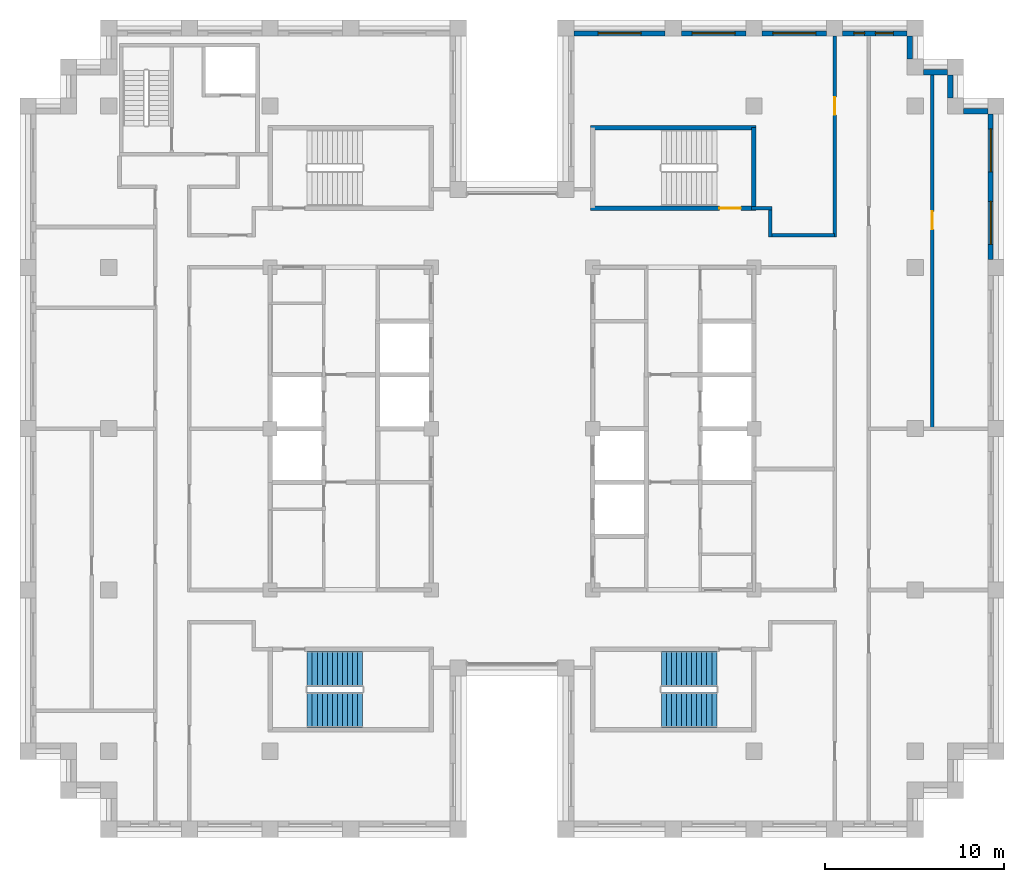
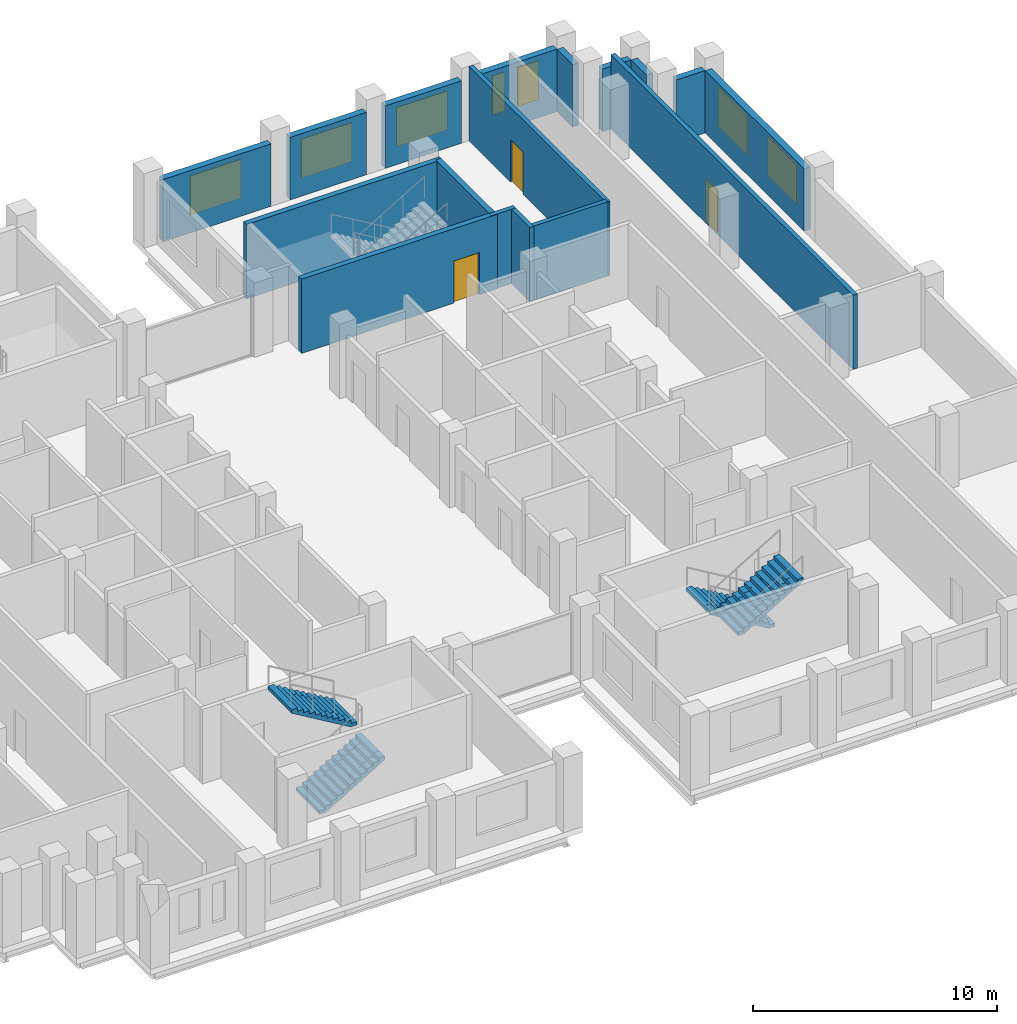
# One storey, part 11 of 13: 17 walls, 7 windows, 4 stair flights, 3 doors, 10 openings, 2 elements without a shape of their own.
"""IFC4 building model written with IfcOpenShell, lengths in metres."""

from ifc_helpers import new_model, si_unit, direction, frame, frame_2d, origin, place, context, subcontext, project, spatial, polyline, rectangle, outline, extrude, material, layer, layer_set, type_object, element, fill, aggregate, save


model = new_model("IFC4")

# Units and contexts
model_context = context("Model", 3, precision=1e-05, world=origin(), true_north=direction((0.0, 1.0)))
body_context = subcontext(model_context, "Body", "Model", "MODEL_VIEW")
ifc_project = project(units=[si_unit("LENGTHUNIT", "METRE"), si_unit("AREAUNIT", "SQUARE_METRE"), si_unit("VOLUMEUNIT", "CUBIC_METRE"), si_unit("PLANEANGLEUNIT", "RADIAN"), si_unit("MASSUNIT", "GRAM", prefix="KILO")], contexts=[model_context])

# Site, building, storey
site_placement = place(None, origin())
site = spatial("IfcSite", under=ifc_project, at=site_placement, CompositionType="ELEMENT")
building_placement = place(site_placement, origin())
building = spatial("IfcBuilding", under=site, at=building_placement, Name="Corbelhall Arena Tower", CompositionType="ELEMENT")
storey_placement = place(building_placement, frame((0.0, 0.0, 270.0)))
storey = spatial("IfcBuildingStorey", under=building, at=storey_placement, Name="L58", CompositionType="ELEMENT", Elevation=270.0)

# Wall, openings, windows
ifc_material_1 = material(Name="Precast concrete C40/50 with granite facing", Category="masonry")
ifc_layer_1 = layer(ifc_material_1, 0.300048828125)
ifc_layer_set_1 = layer_set([ifc_layer_1], Name="EV-IW1 Infill panel 300")
wall_type_1 = type_object("IfcWallType", Name="EV-IW1 Infill panel 300", PredefinedType="SOLIDWALL", material=ifc_layer_set_1)
wall_1_placement = place(storey_placement, frame((26.699951171875, 9.449951171875, 0.0), z_axis=(0.0, 0.0, 1.0), x_axis=(0.0, 1.0, 0.0)))
wall_1 = element("IfcWall", 1, at=wall_1_placement, inside=storey, type_object=wall_type_1, Name="Infill panel IW1", PredefinedType="SOLIDWALL", context=body_context, shape_type="SweptSolid", body=[
    extrude(rectangle(XDim=8.10009765625, YDim=0.300048828125, at=frame_2d((4.050048828125, 0.0))), origin(), (0.0, 0.0, 1.0), 3.1201171875),
])
opening_1_placement = place(wall_1_placement, frame((0.824951171875, 0.0, 0.800048828125)))
opening_1 = element("IfcOpeningElement", 2, at=opening_1_placement, cuts=wall_1, Name="Opening WN1", PredefinedType="OPENING", context=body_context, shape_type="SweptSolid", body=[
    extrude(rectangle(XDim=2.39990234375, YDim=1.949951171875, at=frame_2d((1.199951171875, 0.97509765625))), frame((0.0, 0.14990234375, 0.0), z_axis=(0.0, -1.0, 0.0), x_axis=(1.0, 0.0, 0.0)), (0.0, 0.0, 1.0), 0.300048828125),
])
opening_2_placement = place(wall_1_placement, frame((4.875, 0.0, 0.800048828125)))
opening_2 = element("IfcOpeningElement", 3, at=opening_2_placement, cuts=wall_1, Name="Opening WN1", PredefinedType="OPENING", context=body_context, shape_type="SweptSolid", body=[
    extrude(rectangle(XDim=2.39990234375, YDim=1.949951171875, at=frame_2d((1.199951171875, 0.97509765625))), frame((0.0, 0.14990234375, 0.0), z_axis=(0.0, -1.0, 0.0), x_axis=(1.0, 0.0, 0.0)), (0.0, 0.0, 1.0), 0.300048828125),
])
ifc_material_2 = material(Name="Aluminium black anodised", Category="aluminium")
window_type_1 = type_object("IfcWindowType", Name="EV-WN1 Office window", PartitioningType="SINGLE_PANEL", PredefinedType="WINDOW", material=ifc_material_2)
window_1_placement = place(opening_1_placement, origin())
window_1 = element("IfcWindow", 4, at=window_1_placement, inside=storey, type_object=window_type_1, Name="Window WN1", OverallHeight=1.949951171875, OverallWidth=2.39990234375, PartitioningType="SINGLE_PANEL", PredefinedType="WINDOW", context=body_context, shape_type="SweptSolid", body=[
    extrude(rectangle(XDim=2.39990234375, YDim=1.949951171875, at=frame_2d((1.199951171875, 0.97509765625))), frame((0.0, 0.030029296875, 0.0), z_axis=(0.0, -1.0, 0.0), x_axis=(1.0, 0.0, 0.0)), (0.0, 0.0, 1.0), 0.06005859375),
])
fill(opening_1, window_1)
window_2_placement = place(opening_2_placement, origin())
window_2 = element("IfcWindow", 5, at=window_2_placement, inside=storey, type_object=window_type_1, Name="Window WN1", OverallHeight=1.949951171875, OverallWidth=2.39990234375, PartitioningType="SINGLE_PANEL", PredefinedType="WINDOW", context=body_context, shape_type="SweptSolid", body=[
    extrude(rectangle(XDim=2.39990234375, YDim=1.949951171875, at=frame_2d((1.199951171875, 0.97509765625))), frame((0.0, 0.030029296875, 0.0), z_axis=(0.0, -1.0, 0.0), x_axis=(1.0, 0.0, 0.0)), (0.0, 0.0, 1.0), 0.06005859375),
])
fill(opening_2, window_2)

# Walls
wall_2_placement = place(storey_placement, frame((26.550048828125, 17.699951171875, 0.0), z_axis=(0.0, 0.0, 1.0), x_axis=(-1.0, 0.0, 0.0)))
element("IfcWall", 6, at=wall_2_placement, inside=storey, type_object=wall_type_1, Name="Infill panel IW1", PredefinedType="SOLIDWALL", context=body_context, shape_type="SweptSolid", body=[
    extrude(rectangle(XDim=1.35009765625, YDim=0.300048828125, at=frame_2d((0.675048828125, 0.0))), origin(), (0.0, 0.0, 1.0), 3.1201171875),
])
wall_3_placement = place(storey_placement, frame((24.449951171875, 18.449951171875, 0.0), z_axis=(0.0, 0.0, 1.0), x_axis=(0.0, 1.0, 0.0)))
element("IfcWall", 7, at=wall_3_placement, inside=storey, type_object=wall_type_1, Name="Infill panel IW1", PredefinedType="SOLIDWALL", context=body_context, shape_type="SweptSolid", body=[
    extrude(rectangle(XDim=1.275146484375, YDim=0.300048828125, at=frame_2d((0.6376953125, 0.0))), origin(), (0.0, 0.0, 1.0), 3.1201171875),
])
wall_4_placement = place(storey_placement, frame((24.300048828125, 19.875, 0.0), z_axis=(0.0, 0.0, 1.0), x_axis=(-1.0, 0.0, 0.0)))
element("IfcWall", 8, at=wall_4_placement, inside=storey, type_object=wall_type_1, Name="Infill panel IW1", PredefinedType="SOLIDWALL", context=body_context, shape_type="SweptSolid", body=[
    extrude(rectangle(XDim=1.35009765625, YDim=0.300048828125, at=frame_2d((0.675048828125, 0.0))), origin(), (0.0, 0.0, 1.0), 3.1201171875),
])
wall_5_placement = place(storey_placement, frame((22.199951171875, 20.625, 0.0), z_axis=(0.0, 0.0, 1.0), x_axis=(0.0, 1.0, 0.0)))
element("IfcWall", 9, at=wall_5_placement, inside=storey, type_object=wall_type_1, Name="Infill panel IW1", PredefinedType="SOLIDWALL", context=body_context, shape_type="SweptSolid", body=[
    extrude(rectangle(XDim=1.27490234375, YDim=0.300048828125, at=frame_2d((0.637451171875, 0.0))), origin(), (0.0, 0.0, 1.0), 3.1201171875),
])

# Wall, openings, windows
wall_6_placement = place(storey_placement, frame((22.050048828125, 22.050048828125, 0.0), z_axis=(0.0, 0.0, 1.0), x_axis=(-1.0, 0.0, 0.0)))
wall_6 = element("IfcWall", 10, at=wall_6_placement, inside=storey, type_object=wall_type_1, Name="Infill panel IW1", PredefinedType="SOLIDWALL", context=body_context, shape_type="SweptSolid", body=[
    extrude(rectangle(XDim=3.60009765625, YDim=0.300048828125, at=frame_2d((1.800048828125, 0.0))), origin(), (0.0, 0.0, 1.0), 3.1201171875),
])
opening_3_placement = place(wall_6_placement, frame((0.77490234375, 0.0, 0.800048828125)))
opening_3 = element("IfcOpeningElement", 11, at=opening_3_placement, cuts=wall_6, Name="Opening WN6", PredefinedType="OPENING", context=body_context, shape_type="SweptSolid", body=[
    extrude(rectangle(XDim=1.0, YDim=1.949951171875, at=frame_2d((0.5, 0.97509765625))), frame((0.0, 0.14990234375, 0.0), z_axis=(0.0, -1.0, 0.0), x_axis=(1.0, 0.0, 0.0)), (0.0, 0.0, 1.0), 0.300048828125),
])
opening_4_placement = place(wall_6_placement, frame((2.375, 0.0, 0.800048828125)))
opening_4 = element("IfcOpeningElement", 12, at=opening_4_placement, cuts=wall_6, Name="Opening WN5", PredefinedType="OPENING", context=body_context, shape_type="SweptSolid", body=[
    extrude(rectangle(XDim=0.60009765625, YDim=1.949951171875, at=frame_2d((0.300048828125, 0.97509765625))), frame((0.0, 0.14990234375, 0.0), z_axis=(0.0, -1.0, 0.0), x_axis=(1.0, 0.0, 0.0)), (0.0, 0.0, 1.0), 0.300048828125),
])
window_type_2 = type_object("IfcWindowType", Name="EV-WN5 Office window 600", PartitioningType="SINGLE_PANEL", PredefinedType="WINDOW", material=ifc_material_2)
window_3_placement = place(opening_4_placement, origin())
window_3 = element("IfcWindow", 13, at=window_3_placement, inside=storey, type_object=window_type_2, Name="Window WN5", OverallHeight=1.949951171875, OverallWidth=0.60009765625, PartitioningType="SINGLE_PANEL", PredefinedType="WINDOW", context=body_context, shape_type="SweptSolid", body=[
    extrude(rectangle(XDim=0.60009765625, YDim=1.949951171875, at=frame_2d((0.300048828125, 0.97509765625))), frame((0.0, 0.030029296875, 0.0), z_axis=(0.0, -1.0, 0.0), x_axis=(1.0, 0.0, 0.0)), (0.0, 0.0, 1.0), 0.06005859375),
])
fill(opening_4, window_3)
window_type_3 = type_object("IfcWindowType", Name="EV-WN6 Office window 1000", PartitioningType="SINGLE_PANEL", PredefinedType="WINDOW", material=ifc_material_2)
window_4_placement = place(opening_3_placement, origin())
window_4 = element("IfcWindow", 14, at=window_4_placement, inside=storey, type_object=window_type_3, Name="Window WN6", OverallHeight=1.949951171875, OverallWidth=1.0, PartitioningType="SINGLE_PANEL", PredefinedType="WINDOW", context=body_context, shape_type="SweptSolid", body=[
    extrude(rectangle(XDim=1.0, YDim=1.949951171875, at=frame_2d((0.5, 0.97509765625))), frame((0.0, 0.030029296875, 0.0), z_axis=(0.0, -1.0, 0.0), x_axis=(1.0, 0.0, 0.0)), (0.0, 0.0, 1.0), 0.06005859375),
])
fill(opening_3, window_4)

# Wall, opening, window
wall_7_placement = place(storey_placement, frame((17.550048828125, 22.050048828125, 0.0), z_axis=(0.0, 0.0, 1.0), x_axis=(-1.0, 0.0, 0.0)))
wall_7 = element("IfcWall", 15, at=wall_7_placement, inside=storey, type_object=wall_type_1, Name="Infill panel IW1", PredefinedType="SOLIDWALL", context=body_context, shape_type="SweptSolid", body=[
    extrude(rectangle(XDim=3.60009765625, YDim=0.300048828125, at=frame_2d((1.800048828125, 0.0))), origin(), (0.0, 0.0, 1.0), 3.1201171875),
])
opening_5_placement = place(wall_7_placement, frame((0.60009765625, 0.0, 0.800048828125)))
opening_5 = element("IfcOpeningElement", 16, at=opening_5_placement, cuts=wall_7, Name="Opening WN1", PredefinedType="OPENING", context=body_context, shape_type="SweptSolid", body=[
    extrude(rectangle(XDim=2.39990234375, YDim=1.949951171875, at=frame_2d((1.199951171875, 0.97509765625))), frame((0.0, 0.14990234375, 0.0), z_axis=(0.0, -1.0, 0.0), x_axis=(1.0, 0.0, 0.0)), (0.0, 0.0, 1.0), 0.300048828125),
])
window_5_placement = place(opening_5_placement, origin())
window_5 = element("IfcWindow", 17, at=window_5_placement, inside=storey, type_object=window_type_1, Name="Window WN1", OverallHeight=1.949951171875, OverallWidth=2.39990234375, PartitioningType="SINGLE_PANEL", PredefinedType="WINDOW", context=body_context, shape_type="SweptSolid", body=[
    extrude(rectangle(XDim=2.39990234375, YDim=1.949951171875, at=frame_2d((1.199951171875, 0.97509765625))), frame((0.0, 0.030029296875, 0.0), z_axis=(0.0, -1.0, 0.0), x_axis=(1.0, 0.0, 0.0)), (0.0, 0.0, 1.0), 0.06005859375),
])
fill(opening_5, window_5)

wall_8_placement = place(storey_placement, frame((13.050048828125, 22.050048828125, 0.0), z_axis=(0.0, 0.0, 1.0), x_axis=(-1.0, 0.0, 0.0)))
wall_8 = element("IfcWall", 18, at=wall_8_placement, inside=storey, type_object=wall_type_1, Name="Infill panel IW1", PredefinedType="SOLIDWALL", context=body_context, shape_type="SweptSolid", body=[
    extrude(rectangle(XDim=3.60009765625, YDim=0.300048828125, at=frame_2d((1.800048828125, 0.0))), origin(), (0.0, 0.0, 1.0), 3.1201171875),
])
opening_6_placement = place(wall_8_placement, frame((0.60009765625, 0.0, 0.800048828125)))
opening_6 = element("IfcOpeningElement", 19, at=opening_6_placement, cuts=wall_8, Name="Opening WN1", PredefinedType="OPENING", context=body_context, shape_type="SweptSolid", body=[
    extrude(rectangle(XDim=2.39990234375, YDim=1.949951171875, at=frame_2d((1.199951171875, 0.97509765625))), frame((0.0, 0.14990234375, 0.0), z_axis=(0.0, -1.0, 0.0), x_axis=(1.0, 0.0, 0.0)), (0.0, 0.0, 1.0), 0.300048828125),
])
window_6_placement = place(opening_6_placement, origin())
window_6 = element("IfcWindow", 20, at=window_6_placement, inside=storey, type_object=window_type_1, Name="Window WN1", OverallHeight=1.949951171875, OverallWidth=2.39990234375, PartitioningType="SINGLE_PANEL", PredefinedType="WINDOW", context=body_context, shape_type="SweptSolid", body=[
    extrude(rectangle(XDim=2.39990234375, YDim=1.949951171875, at=frame_2d((1.199951171875, 0.97509765625))), frame((0.0, 0.030029296875, 0.0), z_axis=(0.0, -1.0, 0.0), x_axis=(1.0, 0.0, 0.0)), (0.0, 0.0, 1.0), 0.06005859375),
])
fill(opening_6, window_6)

wall_9_placement = place(storey_placement, frame((8.550048828125, 22.050048828125, 0.0), z_axis=(0.0, 0.0, 1.0), x_axis=(-1.0, 0.0, 0.0)))
wall_9 = element("IfcWall", 21, at=wall_9_placement, inside=storey, type_object=wall_type_1, Name="Infill panel IW1", PredefinedType="SOLIDWALL", context=body_context, shape_type="SweptSolid", body=[
    extrude(rectangle(XDim=5.10009765625, YDim=0.300048828125, at=frame_2d((2.550048828125, 0.0))), origin(), (0.0, 0.0, 1.0), 3.1201171875),
])
opening_7_placement = place(wall_9_placement, frame((1.35009765625, 0.0, 0.800048828125)))
opening_7 = element("IfcOpeningElement", 22, at=opening_7_placement, cuts=wall_9, Name="Opening WN1", PredefinedType="OPENING", context=body_context, shape_type="SweptSolid", body=[
    extrude(rectangle(XDim=2.39990234375, YDim=1.949951171875, at=frame_2d((1.199951171875, 0.97509765625))), frame((0.0, 0.14990234375, 0.0), z_axis=(0.0, -1.0, 0.0), x_axis=(1.0, 0.0, 0.0)), (0.0, 0.0, 1.0), 0.300048828125),
])
window_7_placement = place(opening_7_placement, origin())
window_7 = element("IfcWindow", 23, at=window_7_placement, inside=storey, type_object=window_type_1, Name="Window WN1", OverallHeight=1.949951171875, OverallWidth=2.39990234375, PartitioningType="SINGLE_PANEL", PredefinedType="WINDOW", context=body_context, shape_type="SweptSolid", body=[
    extrude(rectangle(XDim=2.39990234375, YDim=1.949951171875, at=frame_2d((1.199951171875, 0.97509765625))), frame((0.0, 0.030029296875, 0.0), z_axis=(0.0, -1.0, 0.0), x_axis=(1.0, 0.0, 0.0)), (0.0, 0.0, 1.0), 0.06005859375),
])
fill(opening_7, window_7)

# Walls
ifc_material_3 = material(Name="Gypsum board on steel stud, acoustic", Category="steel")
ifc_layer_2 = layer(ifc_material_3, 0.199951171875)
ifc_layer_set_2 = layer_set([ifc_layer_2], Name="IN-W-DM200")
wall_type_2 = type_object("IfcWallType", Name="IN-W-DM200", PredefinedType="PARTITIONING", material=ifc_layer_set_2)
wall_10_placement = place(storey_placement, frame((13.375, 12.300048828125, 0.0), z_axis=(0.0, 0.0, 1.0), x_axis=(1.0, 0.0, 0.0)))
element("IfcWall", 24, at=wall_10_placement, inside=storey, type_object=wall_type_2, Name="Partition 027", PredefinedType="PARTITIONING", context=body_context, shape_type="SweptSolid", body=[
    extrude(rectangle(XDim=1.125, YDim=0.199951171875, at=frame_2d((0.5625, 0.0))), origin(), (0.0, 0.0, 1.0), 3.719970703125),
])
wall_11_placement = place(storey_placement, frame((14.39990234375, 10.800048828125, 0.0), z_axis=(0.0, 0.0, 1.0), x_axis=(1.0, 0.0, 0.0)))
element("IfcWall", 25, at=wall_11_placement, inside=storey, type_object=wall_type_2, Name="Partition 033", PredefinedType="PARTITIONING", context=body_context, shape_type="SweptSolid", body=[
    extrude(rectangle(XDim=3.60009765625, YDim=0.199951171875, at=frame_2d((1.800048828125, 0.0))), origin(), (0.0, 0.0, 1.0), 3.719970703125),
])
wall_12_placement = place(storey_placement, frame((14.39990234375, 12.300048828125, 0.0), z_axis=(0.0, 0.0, 1.0), x_axis=(0.0, -1.0, 0.0)))
element("IfcWall", 26, at=wall_12_placement, inside=storey, type_object=wall_type_2, Name="Partition 034", PredefinedType="PARTITIONING", context=body_context, shape_type="SweptSolid", body=[
    extrude(rectangle(XDim=1.60009765625, YDim=0.199951171875, at=frame_2d((0.800048828125, 0.0))), origin(), (0.0, 0.0, 1.0), 3.719970703125),
])

# Wall, opening, door
wall_13_placement = place(storey_placement, frame((18.0, 10.699951171875, 0.0), z_axis=(0.0, 0.0, 1.0), x_axis=(0.0, 1.0, 0.0)))
wall_13 = element("IfcWall", 27, at=wall_13_placement, inside=storey, type_object=wall_type_2, Name="Partition 038", PredefinedType="PARTITIONING", context=body_context, shape_type="SweptSolid", body=[
    extrude(rectangle(XDim=11.199951171875, YDim=0.199951171875, at=frame_2d((5.60009765625, 0.0))), origin(), (0.0, 0.0, 1.0), 3.719970703125),
])
opening_8_placement = place(wall_13_placement, frame((6.800048828125, 0.0, 0.0)))
opening_8 = element("IfcOpeningElement", 28, at=opening_8_placement, cuts=wall_13, Name="Opening 18027", PredefinedType="OPENING", context=body_context, shape_type="SweptSolid", body=[
    extrude(rectangle(XDim=1.0, YDim=2.10009765625, at=frame_2d((0.5, 1.050048828125))), frame((0.0, 0.10009765625, 0.0), z_axis=(0.0, -1.0, 0.0), x_axis=(1.0, 0.0, 0.0)), (0.0, 0.0, 1.0), 0.199951171875),
])
ifc_material_4 = material(Name="Steel door set", Category="steel")
door_type_1 = type_object("IfcDoorType", Name="IN-D-SW100", OperationType="NOTDEFINED", PredefinedType="DOOR", material=ifc_material_4)
door_1_placement = place(opening_8_placement, origin())
door_1 = element("IfcDoor", 29, at=door_1_placement, inside=storey, type_object=door_type_1, Name="Door 027", OperationType="SINGLE_SWING_RIGHT", OverallHeight=2.10009765625, OverallWidth=1.0, PredefinedType="DOOR", context=body_context, shape_type="SweptSolid", body=[
    extrude(rectangle(XDim=1.0, YDim=2.10009765625, at=frame_2d((0.5, 1.050048828125))), frame((0.0, 0.02490234375, 0.0), z_axis=(0.0, -1.0, 0.0), x_axis=(1.0, 0.0, 0.0)), (0.0, 0.0, 1.0), 0.050048828125),
])
fill(opening_8, door_1)

wall_14_placement = place(storey_placement, frame((23.449951171875, 19.72509765625, 0.0), z_axis=(0.0, 0.0, 1.0), x_axis=(0.0, -1.0, 0.0)))
wall_14 = element("IfcWall", 30, at=wall_14_placement, inside=storey, type_object=wall_type_2, Name="Partition 042", PredefinedType="PARTITIONING", context=body_context, shape_type="SweptSolid", body=[
    extrude(rectangle(XDim=19.8251953125, YDim=0.199951171875, at=frame_2d((9.91259765625, 0.0))), origin(), (0.0, 0.0, 1.0), 3.719970703125),
])
opening_9_placement = place(wall_14_placement, frame((7.60009765625, 0.0, 0.0)))
opening_9 = element("IfcOpeningElement", 31, at=opening_9_placement, cuts=wall_14, Name="Opening 18037", PredefinedType="OPENING", context=body_context, shape_type="SweptSolid", body=[
    extrude(rectangle(XDim=1.0, YDim=2.10009765625, at=frame_2d((0.5, 1.050048828125))), frame((0.0, 0.10009765625, 0.0), z_axis=(0.0, -1.0, 0.0), x_axis=(1.0, 0.0, 0.0)), (0.0, 0.0, 1.0), 0.199951171875),
])
door_2_placement = place(opening_9_placement, origin())
door_2 = element("IfcDoor", 32, at=door_2_placement, inside=storey, type_object=door_type_1, Name="Door 037", OperationType="SINGLE_SWING_RIGHT", OverallHeight=2.10009765625, OverallWidth=1.0, PredefinedType="DOOR", context=body_context, shape_type="SweptSolid", body=[
    extrude(rectangle(XDim=1.0, YDim=2.10009765625, at=frame_2d((0.5, 1.050048828125))), frame((0.0, 0.02490234375, 0.0), z_axis=(0.0, -1.0, 0.0), x_axis=(1.0, 0.0, 0.0)), (0.0, 0.0, 1.0), 0.050048828125),
])
fill(opening_9, door_2)

ifc_material_5 = material(Name="Concrete C40/50", Category="concrete")
ifc_layer_3 = layer(ifc_material_5, 0.25)
ifc_layer_set_3 = layer_set([ifc_layer_3], Name="IN-W-ST250")
wall_type_3 = type_object("IfcWallType", Name="IN-W-ST250", PredefinedType="SOLIDWALL", material=ifc_layer_set_3)
wall_15_placement = place(storey_placement, frame((4.375, 12.300048828125, 0.0), z_axis=(0.0, 0.0, 1.0), x_axis=(1.0, 0.0, 0.0)))
wall_15 = element("IfcWall", 33, at=wall_15_placement, inside=storey, type_object=wall_type_3, Name="Shaft wall 094", PredefinedType="SOLIDWALL", context=body_context, shape_type="SweptSolid", body=[
    extrude(rectangle(XDim=9.25, YDim=0.25, at=frame_2d((4.625, 0.0))), origin(), (0.0, 0.0, 1.0), 3.719970703125),
])
opening_10_placement = place(wall_15_placement, frame((7.199951171875, 0.0, 0.0)))
opening_10 = element("IfcOpeningElement", 34, at=opening_10_placement, cuts=wall_15, Name="Opening 18020", PredefinedType="OPENING", context=body_context, shape_type="SweptSolid", body=[
    extrude(rectangle(XDim=1.199951171875, YDim=2.10009765625, at=frame_2d((0.60009765625, 1.050048828125))), frame((0.0, 0.125, 0.0), z_axis=(0.0, -1.0, 0.0), x_axis=(1.0, 0.0, 0.0)), (0.0, 0.0, 1.0), 0.25),
])
door_type_2 = type_object("IfcDoorType", Name="IN-D-ST120", OperationType="NOTDEFINED", PredefinedType="DOOR", material=ifc_material_4)
door_3_placement = place(opening_10_placement, origin())
door_3 = element("IfcDoor", 35, at=door_3_placement, inside=storey, type_object=door_type_2, Name="Door 020", OperationType="SINGLE_SWING_LEFT", OverallHeight=2.10009765625, OverallWidth=1.199951171875, PredefinedType="DOOR", context=body_context, shape_type="SweptSolid", body=[
    extrude(rectangle(XDim=1.199951171875, YDim=2.10009765625, at=frame_2d((0.60009765625, 1.050048828125))), frame((0.0, 0.02490234375, 0.0), z_axis=(0.0, -1.0, 0.0), x_axis=(1.0, 0.0, 0.0)), (0.0, 0.0, 1.0), 0.050048828125),
])
fill(opening_10, door_3)

# Walls
wall_16_placement = place(storey_placement, frame((4.375, 16.800048828125, 0.0), z_axis=(0.0, 0.0, 1.0), x_axis=(1.0, 0.0, 0.0)))
element("IfcWall", 36, at=wall_16_placement, inside=storey, type_object=wall_type_3, Name="Shaft wall 095", PredefinedType="SOLIDWALL", context=body_context, shape_type="SweptSolid", body=[
    extrude(rectangle(XDim=9.25, YDim=0.25, at=frame_2d((4.625, 0.0))), origin(), (0.0, 0.0, 1.0), 3.719970703125),
])
wall_17_placement = place(storey_placement, frame((13.5, 16.800048828125, 0.0), z_axis=(0.0, 0.0, 1.0), x_axis=(0.0, -1.0, 0.0)))
element("IfcWall", 37, at=wall_17_placement, inside=storey, type_object=wall_type_3, Name="Shaft wall 100", PredefinedType="SOLIDWALL", context=body_context, shape_type="SweptSolid", body=[
    extrude(rectangle(XDim=4.5, YDim=0.25, at=frame_2d((2.25, 0.0))), origin(), (0.0, 0.0, 1.0), 3.719970703125),
])

# Stair, stair flights
stair_type = type_object("IfcStairType", Name="IN-ST-TOWER", PredefinedType="HALF_TURN_STAIR", material=ifc_material_5)
stair_1_placement = place(storey_placement, origin())
stair_1 = element("IfcStair", 38, at=stair_1_placement, inside=storey, type_object=stair_type, Name="L58 Exit stair ST2", PredefinedType="HALF_TURN_STAIR")
stair_flight_type = type_object("IfcStairFlightType", Name="IN-SFL-RC", PredefinedType="STRAIGHT", material=ifc_material_5)
stair_flight_1_placement = place(storey_placement, frame((-11.425048828125, -15.699951171875, 0.0), z_axis=(0.0, 0.0, 1.0), x_axis=(1.0, 0.0, 0.0)))
stair_flight_1 = element("IfcStairFlight", 39, at=stair_flight_1_placement, type_object=stair_flight_type, Name="ST2 flight 1", NumberOfRisers=12, NumberOfTreads=11, PredefinedType="STRAIGHT", RiserHeight=0.166666667, TreadLength=0.28, context=body_context, shape_type="SweptSolid", body=[
    extrude(outline(polyline([(0.0, 0.0), (0.0, 0.166748046875), (0.280029296875, 0.166748046875), (0.280029296875, 0.333251953125), (0.56005859375, 0.333251953125), (0.56005859375, 0.5), (0.840087890625, 0.5), (0.840087890625, 0.666748046875), (1.1201171875, 0.666748046875), (1.1201171875, 0.833251953125), (1.39990234375, 0.833251953125), (1.39990234375, 1.0), (1.679931640625, 1.0), (1.679931640625, 1.166748046875), (1.9599609375, 1.166748046875), (1.9599609375, 1.333251953125), (2.239990234375, 1.333251953125), (2.239990234375, 1.5), (2.52001953125, 1.5), (2.52001953125, 1.666748046875), (2.800048828125, 1.666748046875), (2.800048828125, 1.833251953125), (3.080078125, 1.833251953125), (3.080078125, 2.0), (3.080078125, 1.658935546875), (0.29296875, 0.0), (0.0, 0.0)])), frame((0.0, 0.97509765625, 0.0), z_axis=(0.0, -1.0, 0.0), x_axis=(1.0, 0.0, 0.0)), (0.0, 0.0, 1.0), 0.449951171875),
    extrude(outline(polyline([(0.0, 0.0), (0.0, 0.166748046875), (0.280029296875, 0.166748046875), (0.280029296875, 0.333251953125), (0.56005859375, 0.333251953125), (0.56005859375, 0.5), (0.840087890625, 0.5), (0.840087890625, 0.666748046875), (1.1201171875, 0.666748046875), (1.1201171875, 0.833251953125), (1.39990234375, 0.833251953125), (1.39990234375, 1.0), (1.679931640625, 1.0), (1.679931640625, 1.166748046875), (1.9599609375, 1.166748046875), (1.9599609375, 1.333251953125), (2.239990234375, 1.333251953125), (2.239990234375, 1.5), (2.52001953125, 1.5), (2.52001953125, 1.666748046875), (2.800048828125, 1.666748046875), (2.800048828125, 1.833251953125), (3.080078125, 1.833251953125), (3.080078125, 2.0), (3.080078125, 1.658935546875), (0.29296875, 0.0), (0.0, 0.0)])), frame((0.0, 0.52099609375, 0.0), z_axis=(0.0, -1.0, 0.0), x_axis=(1.0, 0.0, 0.0)), (0.0, 0.0, 1.0), 1.0419921875),
    extrude(outline(polyline([(0.0, 0.0), (0.0, 0.166748046875), (0.280029296875, 0.166748046875), (0.280029296875, 0.333251953125), (0.56005859375, 0.333251953125), (0.56005859375, 0.5), (0.840087890625, 0.5), (0.840087890625, 0.666748046875), (1.1201171875, 0.666748046875), (1.1201171875, 0.833251953125), (1.39990234375, 0.833251953125), (1.39990234375, 1.0), (1.679931640625, 1.0), (1.679931640625, 1.166748046875), (1.9599609375, 1.166748046875), (1.9599609375, 1.333251953125), (2.239990234375, 1.333251953125), (2.239990234375, 1.5), (2.52001953125, 1.5), (2.52001953125, 1.666748046875), (2.800048828125, 1.666748046875), (2.800048828125, 1.833251953125), (3.080078125, 1.833251953125), (3.080078125, 2.0), (3.080078125, 1.658935546875), (0.29296875, 0.0), (0.0, 0.0)])), frame((0.0, -0.52490234375, 0.0), z_axis=(0.0, -1.0, 0.0), x_axis=(1.0, 0.0, 0.0)), (0.0, 0.0, 1.0), 0.449951171875),
])
stair_flight_2_placement = place(storey_placement, frame((-8.344970703125, -13.39990234375, 2.0), z_axis=(0.0, 0.0, 1.0), x_axis=(-1.0, 0.0, 0.0)))
stair_flight_2 = element("IfcStairFlight", 40, at=stair_flight_2_placement, type_object=stair_flight_type, Name="ST2 flight 2", NumberOfRisers=12, NumberOfTreads=11, PredefinedType="STRAIGHT", RiserHeight=0.166666667, TreadLength=0.28, context=body_context, shape_type="SweptSolid", body=[
    extrude(outline(polyline([(0.0, 0.0), (0.0, 0.166748046875), (0.280029296875, 0.166748046875), (0.280029296875, 0.333251953125), (0.56005859375, 0.333251953125), (0.56005859375, 0.5), (0.840087890625, 0.5), (0.840087890625, 0.666748046875), (1.1201171875, 0.666748046875), (1.1201171875, 0.833251953125), (1.39990234375, 0.833251953125), (1.39990234375, 1.0), (1.679931640625, 1.0), (1.679931640625, 1.166748046875), (1.9599609375, 1.166748046875), (1.9599609375, 1.333251953125), (2.239990234375, 1.333251953125), (2.239990234375, 1.5), (2.52001953125, 1.5), (2.52001953125, 1.666748046875), (2.800048828125, 1.666748046875), (2.800048828125, 1.833251953125), (3.080078125, 1.833251953125), (3.080078125, 2.0), (3.080078125, 1.658935546875), (0.29296875, 0.0), (0.0, 0.0)])), frame((0.0, 0.97509765625, 0.0), z_axis=(0.0, -1.0, 0.0), x_axis=(1.0, 0.0, 0.0)), (0.0, 0.0, 1.0), 0.449951171875),
    extrude(outline(polyline([(0.0, 0.0), (0.0, 0.166748046875), (0.280029296875, 0.166748046875), (0.280029296875, 0.333251953125), (0.56005859375, 0.333251953125), (0.56005859375, 0.5), (0.840087890625, 0.5), (0.840087890625, 0.666748046875), (1.1201171875, 0.666748046875), (1.1201171875, 0.833251953125), (1.39990234375, 0.833251953125), (1.39990234375, 1.0), (1.679931640625, 1.0), (1.679931640625, 1.166748046875), (1.9599609375, 1.166748046875), (1.9599609375, 1.333251953125), (2.239990234375, 1.333251953125), (2.239990234375, 1.5), (2.52001953125, 1.5), (2.52001953125, 1.666748046875), (2.800048828125, 1.666748046875), (2.800048828125, 1.833251953125), (3.080078125, 1.833251953125), (3.080078125, 2.0), (3.080078125, 1.658935546875), (0.29296875, 0.0), (0.0, 0.0)])), frame((0.0, 0.52099609375, 0.0), z_axis=(0.0, -1.0, 0.0), x_axis=(1.0, 0.0, 0.0)), (0.0, 0.0, 1.0), 1.0419921875),
    extrude(outline(polyline([(0.0, 0.0), (0.0, 0.166748046875), (0.280029296875, 0.166748046875), (0.280029296875, 0.333251953125), (0.56005859375, 0.333251953125), (0.56005859375, 0.5), (0.840087890625, 0.5), (0.840087890625, 0.666748046875), (1.1201171875, 0.666748046875), (1.1201171875, 0.833251953125), (1.39990234375, 0.833251953125), (1.39990234375, 1.0), (1.679931640625, 1.0), (1.679931640625, 1.166748046875), (1.9599609375, 1.166748046875), (1.9599609375, 1.333251953125), (2.239990234375, 1.333251953125), (2.239990234375, 1.5), (2.52001953125, 1.5), (2.52001953125, 1.666748046875), (2.800048828125, 1.666748046875), (2.800048828125, 1.833251953125), (3.080078125, 1.833251953125), (3.080078125, 2.0), (3.080078125, 1.658935546875), (0.29296875, 0.0), (0.0, 0.0)])), frame((0.0, -0.52490234375, 0.0), z_axis=(0.0, -1.0, 0.0), x_axis=(1.0, 0.0, 0.0)), (0.0, 0.0, 1.0), 0.449951171875),
])
aggregate(stair_1, [stair_flight_1, stair_flight_2])

stair_2_placement = place(storey_placement, origin())
stair_2 = element("IfcStair", 41, at=stair_2_placement, inside=storey, type_object=stair_type, Name="L58 Exit stair ST4", PredefinedType="HALF_TURN_STAIR")
stair_flight_3_placement = place(storey_placement, frame((11.425048828125, -13.39990234375, 0.0), z_axis=(0.0, 0.0, 1.0), x_axis=(-1.0, 0.0, 0.0)))
stair_flight_3 = element("IfcStairFlight", 42, at=stair_flight_3_placement, type_object=stair_flight_type, Name="ST4 flight 1", NumberOfRisers=12, NumberOfTreads=11, PredefinedType="STRAIGHT", RiserHeight=0.166666667, TreadLength=0.28, context=body_context, shape_type="SweptSolid", body=[
    extrude(outline(polyline([(0.0, 0.0), (0.0, 0.166748046875), (0.280029296875, 0.166748046875), (0.280029296875, 0.333251953125), (0.56005859375, 0.333251953125), (0.56005859375, 0.5), (0.840087890625, 0.5), (0.840087890625, 0.666748046875), (1.1201171875, 0.666748046875), (1.1201171875, 0.833251953125), (1.39990234375, 0.833251953125), (1.39990234375, 1.0), (1.679931640625, 1.0), (1.679931640625, 1.166748046875), (1.9599609375, 1.166748046875), (1.9599609375, 1.333251953125), (2.239990234375, 1.333251953125), (2.239990234375, 1.5), (2.52001953125, 1.5), (2.52001953125, 1.666748046875), (2.800048828125, 1.666748046875), (2.800048828125, 1.833251953125), (3.080078125, 1.833251953125), (3.080078125, 2.0), (3.080078125, 1.658935546875), (0.29296875, 0.0), (0.0, 0.0)])), frame((0.0, 0.97509765625, 0.0), z_axis=(0.0, -1.0, 0.0), x_axis=(1.0, 0.0, 0.0)), (0.0, 0.0, 1.0), 0.449951171875),
    extrude(outline(polyline([(0.0, 0.0), (0.0, 0.166748046875), (0.280029296875, 0.166748046875), (0.280029296875, 0.333251953125), (0.56005859375, 0.333251953125), (0.56005859375, 0.5), (0.840087890625, 0.5), (0.840087890625, 0.666748046875), (1.1201171875, 0.666748046875), (1.1201171875, 0.833251953125), (1.39990234375, 0.833251953125), (1.39990234375, 1.0), (1.679931640625, 1.0), (1.679931640625, 1.166748046875), (1.9599609375, 1.166748046875), (1.9599609375, 1.333251953125), (2.239990234375, 1.333251953125), (2.239990234375, 1.5), (2.52001953125, 1.5), (2.52001953125, 1.666748046875), (2.800048828125, 1.666748046875), (2.800048828125, 1.833251953125), (3.080078125, 1.833251953125), (3.080078125, 2.0), (3.080078125, 1.658935546875), (0.29296875, 0.0), (0.0, 0.0)])), frame((0.0, 0.52099609375, 0.0), z_axis=(0.0, -1.0, 0.0), x_axis=(1.0, 0.0, 0.0)), (0.0, 0.0, 1.0), 1.0419921875),
    extrude(outline(polyline([(0.0, 0.0), (0.0, 0.166748046875), (0.280029296875, 0.166748046875), (0.280029296875, 0.333251953125), (0.56005859375, 0.333251953125), (0.56005859375, 0.5), (0.840087890625, 0.5), (0.840087890625, 0.666748046875), (1.1201171875, 0.666748046875), (1.1201171875, 0.833251953125), (1.39990234375, 0.833251953125), (1.39990234375, 1.0), (1.679931640625, 1.0), (1.679931640625, 1.166748046875), (1.9599609375, 1.166748046875), (1.9599609375, 1.333251953125), (2.239990234375, 1.333251953125), (2.239990234375, 1.5), (2.52001953125, 1.5), (2.52001953125, 1.666748046875), (2.800048828125, 1.666748046875), (2.800048828125, 1.833251953125), (3.080078125, 1.833251953125), (3.080078125, 2.0), (3.080078125, 1.658935546875), (0.29296875, 0.0), (0.0, 0.0)])), frame((0.0, -0.52490234375, 0.0), z_axis=(0.0, -1.0, 0.0), x_axis=(1.0, 0.0, 0.0)), (0.0, 0.0, 1.0), 0.449951171875),
])
stair_flight_4_placement = place(storey_placement, frame((8.344970703125, -15.699951171875, 2.0), z_axis=(0.0, 0.0, 1.0), x_axis=(1.0, 0.0, 0.0)))
stair_flight_4 = element("IfcStairFlight", 43, at=stair_flight_4_placement, type_object=stair_flight_type, Name="ST4 flight 2", NumberOfRisers=12, NumberOfTreads=11, PredefinedType="STRAIGHT", RiserHeight=0.166666667, TreadLength=0.28, context=body_context, shape_type="SweptSolid", body=[
    extrude(outline(polyline([(0.0, 0.0), (0.0, 0.166748046875), (0.280029296875, 0.166748046875), (0.280029296875, 0.333251953125), (0.56005859375, 0.333251953125), (0.56005859375, 0.5), (0.840087890625, 0.5), (0.840087890625, 0.666748046875), (1.1201171875, 0.666748046875), (1.1201171875, 0.833251953125), (1.39990234375, 0.833251953125), (1.39990234375, 1.0), (1.679931640625, 1.0), (1.679931640625, 1.166748046875), (1.9599609375, 1.166748046875), (1.9599609375, 1.333251953125), (2.239990234375, 1.333251953125), (2.239990234375, 1.5), (2.52001953125, 1.5), (2.52001953125, 1.666748046875), (2.800048828125, 1.666748046875), (2.800048828125, 1.833251953125), (3.080078125, 1.833251953125), (3.080078125, 2.0), (3.080078125, 1.658935546875), (0.29296875, 0.0), (0.0, 0.0)])), frame((0.0, 0.97509765625, 0.0), z_axis=(0.0, -1.0, 0.0), x_axis=(1.0, 0.0, 0.0)), (0.0, 0.0, 1.0), 0.449951171875),
    extrude(outline(polyline([(0.0, 0.0), (0.0, 0.166748046875), (0.280029296875, 0.166748046875), (0.280029296875, 0.333251953125), (0.56005859375, 0.333251953125), (0.56005859375, 0.5), (0.840087890625, 0.5), (0.840087890625, 0.666748046875), (1.1201171875, 0.666748046875), (1.1201171875, 0.833251953125), (1.39990234375, 0.833251953125), (1.39990234375, 1.0), (1.679931640625, 1.0), (1.679931640625, 1.166748046875), (1.9599609375, 1.166748046875), (1.9599609375, 1.333251953125), (2.239990234375, 1.333251953125), (2.239990234375, 1.5), (2.52001953125, 1.5), (2.52001953125, 1.666748046875), (2.800048828125, 1.666748046875), (2.800048828125, 1.833251953125), (3.080078125, 1.833251953125), (3.080078125, 2.0), (3.080078125, 1.658935546875), (0.29296875, 0.0), (0.0, 0.0)])), frame((0.0, 0.52099609375, 0.0), z_axis=(0.0, -1.0, 0.0), x_axis=(1.0, 0.0, 0.0)), (0.0, 0.0, 1.0), 1.0419921875),
    extrude(outline(polyline([(0.0, 0.0), (0.0, 0.166748046875), (0.280029296875, 0.166748046875), (0.280029296875, 0.333251953125), (0.56005859375, 0.333251953125), (0.56005859375, 0.5), (0.840087890625, 0.5), (0.840087890625, 0.666748046875), (1.1201171875, 0.666748046875), (1.1201171875, 0.833251953125), (1.39990234375, 0.833251953125), (1.39990234375, 1.0), (1.679931640625, 1.0), (1.679931640625, 1.166748046875), (1.9599609375, 1.166748046875), (1.9599609375, 1.333251953125), (2.239990234375, 1.333251953125), (2.239990234375, 1.5), (2.52001953125, 1.5), (2.52001953125, 1.666748046875), (2.800048828125, 1.666748046875), (2.800048828125, 1.833251953125), (3.080078125, 1.833251953125), (3.080078125, 2.0), (3.080078125, 1.658935546875), (0.29296875, 0.0), (0.0, 0.0)])), frame((0.0, -0.52490234375, 0.0), z_axis=(0.0, -1.0, 0.0), x_axis=(1.0, 0.0, 0.0)), (0.0, 0.0, 1.0), 0.449951171875),
])
aggregate(stair_2, [stair_flight_3, stair_flight_4])

save(model, "model.ifc")
